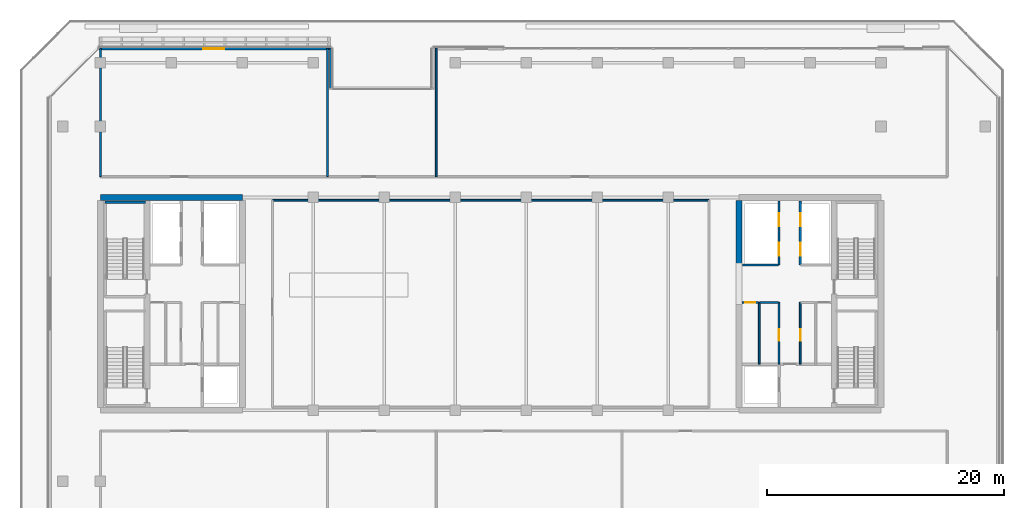
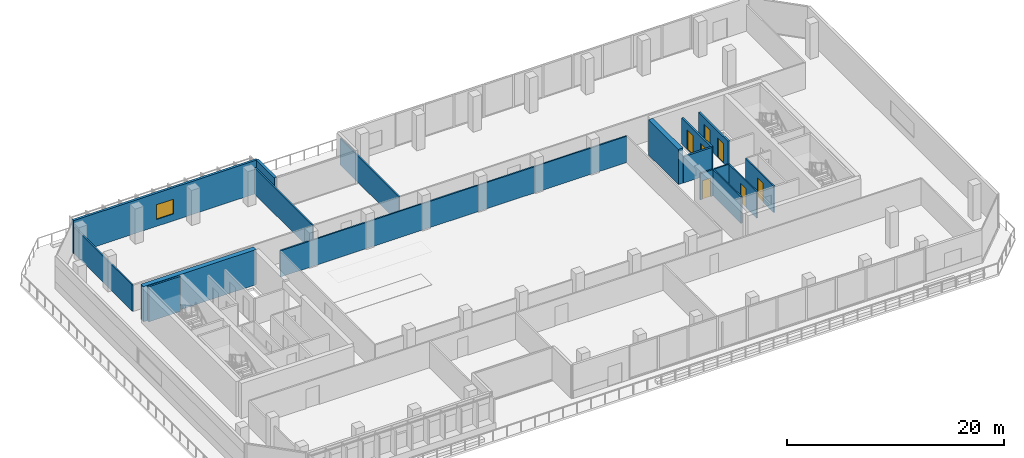
# One storey, part 22 of 30: 17 walls, 7 doors, 1 window, 8 openings.
"""IFC4 building model written with IfcOpenShell, lengths in metres."""

from ifc_helpers import new_model, si_unit, direction, frame, frame_2d, origin, place, context, subcontext, project, spatial, rectangle, extrude, material, layer, layer_set, type_object, element, fill, save


model = new_model("IFC4")

# Units and contexts
model_context = context("Model", 3, precision=1e-05, world=origin(), true_north=direction((0.0, 1.0)))
body_context = subcontext(model_context, "Body", "Model", "MODEL_VIEW")
ifc_project = project(units=[si_unit("LENGTHUNIT", "METRE"), si_unit("AREAUNIT", "SQUARE_METRE"), si_unit("VOLUMEUNIT", "CUBIC_METRE"), si_unit("PLANEANGLEUNIT", "RADIAN"), si_unit("MASSUNIT", "GRAM", prefix="KILO")], contexts=[model_context])

# Site, building, storey
site_placement = place(None, origin())
site = spatial("IfcSite", under=ifc_project, at=site_placement, CompositionType="ELEMENT")
building_placement = place(site_placement, origin())
building = spatial("IfcBuilding", under=site, at=building_placement, Name="Tanjung Sevakor Pilgrim Tower", CompositionType="ELEMENT")
storey_placement = place(building_placement, frame((0.0, 0.0, 128.0400390625)))
storey = spatial("IfcBuildingStorey", under=building, at=storey_placement, Name="L35", CompositionType="ELEMENT", Elevation=128.0400390625)

# Walls
ifc_material_1 = material(Name="Concrete C60/75", Category="concrete")
ifc_layer_1 = layer(ifc_material_1, 0.5)
ifc_layer_set_1 = layer_set([ifc_layer_1], Name="WALL-CW-500")
wall_type_1 = type_object("IfcWallType", Name="WALL-CW-500", PredefinedType="SHEAR", material=ifc_layer_set_1)
wall_1_placement = place(storey_placement, frame((36.0, 42.60009765625, 0.0), z_axis=(0.0, 0.0, 1.0), x_axis=(-1.0, 0.0, 0.0)))
element("IfcWall", 1, at=wall_1_placement, inside=storey, type_object=wall_type_1, Name="L35 W Core North Shear Wall", PredefinedType="SHEAR", context=body_context, shape_type="SweptSolid", body=[
    extrude(rectangle(XDim=12.0, YDim=0.5, at=frame_2d((6.0, 0.0))), origin(), (0.0, 0.0, 1.0), 3.9599609375),
])
wall_2_placement = place(storey_placement, frame((78.0, 36.800048828125, 0.0), z_axis=(0.0, 0.0, 1.0), x_axis=(0.0, 1.0, 0.0)))
element("IfcWall", 2, at=wall_2_placement, inside=storey, type_object=wall_type_1, Name="L35 E Core Inner Shear Wall North", PredefinedType="SHEAR", context=body_context, shape_type="SweptSolid", body=[
    extrude(rectangle(XDim=5.550048828125, YDim=0.5, at=frame_2d((2.77490234375, 0.0))), origin(), (0.0, 0.0, 1.0), 3.9599609375),
])

# Wall, opening, door
ifc_material_2 = material(Name="Concrete C40/50", Category="concrete")
ifc_layer_2 = layer(ifc_material_2, 0.14990234375)
ifc_layer_set_2 = layer_set([ifc_layer_2], Name="WT-COMP-150")
wall_type_2 = type_object("IfcWallType", Name="WT-COMP-150", PredefinedType="SOLIDWALL", material=ifc_layer_set_2)
wall_3_placement = place(storey_placement, frame((83.179931640625, 28.5, 0.0), z_axis=(0.0, 0.0, 1.0), x_axis=(0.0, 1.0, 0.0)))
wall_3 = element("IfcWall", 3, at=wall_3_placement, inside=storey, type_object=wall_type_2, Name="L35 Partition IW-L35-020", PredefinedType="SOLIDWALL", context=body_context, shape_type="SweptSolid", body=[
    extrude(rectangle(XDim=5.219970703125, YDim=0.14990234375, at=frame_2d((2.60986328125, 0.0))), origin(), (0.0, 0.0, 1.0), 2.9599609375),
])
opening_1_placement = place(wall_3_placement, frame((2.0, 0.0, 0.0)))
opening_1 = element("IfcOpeningElement", 4, at=opening_1_placement, cuts=wall_3, Name="Opening ID-FD2", PredefinedType="OPENING", context=body_context, shape_type="SweptSolid", body=[
    extrude(rectangle(XDim=0.949951171875, YDim=2.14990234375, at=frame_2d((0.47509765625, 1.074951171875))), frame((0.0, 0.0849609375, 0.0), z_axis=(0.0, -1.0, 0.0), x_axis=(1.0, 0.0, 0.0)), (0.0, 0.0, 1.0), 0.169921875),
])
ifc_material_3 = material(Name="Fire-Rated Timber", Category="wood")
door_type_1 = type_object("IfcDoorType", Name="DT-FIRE-950", OperationType="NOTDEFINED", PredefinedType="DOOR", material=ifc_material_3)
door_1_placement = place(opening_1_placement, origin())
door_1 = element("IfcDoor", 5, at=door_1_placement, inside=storey, type_object=door_type_1, Name="L35 Housekeeping Pantry Door", OperationType="SINGLE_SWING_RIGHT", OverallHeight=2.14990234375, OverallWidth=0.949951171875, PredefinedType="DOOR", context=body_context, shape_type="SweptSolid", body=[
    extrude(rectangle(XDim=0.949951171875, YDim=2.14990234375, at=frame_2d((0.47509765625, 1.074951171875))), frame((0.0, 0.02490234375, 0.0), z_axis=(0.0, -1.0, 0.0), x_axis=(1.0, 0.0, 0.0)), (0.0, 0.0, 1.0), 0.050048828125),
])
fill(opening_1, door_1)

# Walls
wall_4_placement = place(storey_placement, frame((79.699951171875, 28.5, 0.0), z_axis=(0.0, 0.0, 1.0), x_axis=(0.0, 1.0, 0.0)))
element("IfcWall", 6, at=wall_4_placement, inside=storey, type_object=wall_type_2, Name="L35 Partition IW-L35-021", PredefinedType="SOLIDWALL", context=body_context, shape_type="SweptSolid", body=[
    extrude(rectangle(XDim=5.219970703125, YDim=0.14990234375, at=frame_2d((2.60986328125, 0.0))), origin(), (0.0, 0.0, 1.0), 2.9599609375),
])
wall_5_placement = place(storey_placement, frame((79.760009765625, 33.719970703125, 0.0), z_axis=(0.0, 0.0, 1.0), x_axis=(1.0, 0.0, 0.0)))
element("IfcWall", 7, at=wall_5_placement, inside=storey, type_object=wall_type_2, Name="L35 Partition IW-L35-022", PredefinedType="SOLIDWALL", context=body_context, shape_type="SweptSolid", body=[
    extrude(rectangle(XDim=1.56005859375, YDim=0.14990234375, at=frame_2d((0.780029296875, 0.0))), origin(), (0.0, 0.0, 1.0), 2.9599609375),
])

# Wall, opening, door
wall_6_placement = place(storey_placement, frame((78.27001953125, 33.719970703125, 0.0), z_axis=(0.0, 0.0, 1.0), x_axis=(1.0, 0.0, 0.0)))
wall_6 = element("IfcWall", 8, at=wall_6_placement, inside=storey, type_object=wall_type_2, Name="L35 Partition IW-L35-023", PredefinedType="SOLIDWALL", context=body_context, shape_type="SweptSolid", body=[
    extrude(rectangle(XDim=1.369873046875, YDim=0.14990234375, at=frame_2d((0.68505859375, 0.0))), origin(), (0.0, 0.0, 1.0), 2.9599609375),
])
opening_2_placement = place(wall_6_placement, frame((0.239990234375, 0.0, 0.0)))
opening_2 = element("IfcOpeningElement", 9, at=opening_2_placement, cuts=wall_6, Name="Opening ID-FD3", PredefinedType="OPENING", context=body_context, shape_type="SweptSolid", body=[
    extrude(rectangle(XDim=0.85009765625, YDim=2.10009765625, at=frame_2d((0.425048828125, 1.050048828125))), frame((0.0, 0.0849609375, 0.0), z_axis=(0.0, -1.0, 0.0), x_axis=(1.0, 0.0, 0.0)), (0.0, 0.0, 1.0), 0.169921875),
])
ifc_material_4 = material(Name="Fire-Rated Timber", Category="wood")
door_type_2 = type_object("IfcDoorType", Name="DT-FIRE-850", OperationType="NOTDEFINED", PredefinedType="DOOR", material=ifc_material_4)
door_2_placement = place(opening_2_placement, origin())
door_2 = element("IfcDoor", 10, at=door_2_placement, inside=storey, type_object=door_type_2, Name="L35 Service Store Door", OperationType="SINGLE_SWING_LEFT", OverallHeight=2.10009765625, OverallWidth=0.85009765625, PredefinedType="DOOR", context=body_context, shape_type="SweptSolid", body=[
    extrude(rectangle(XDim=0.85009765625, YDim=2.10009765625, at=frame_2d((0.425048828125, 1.050048828125))), frame((0.0, 0.02490234375, 0.0), z_axis=(0.0, -1.0, 0.0), x_axis=(1.0, 0.0, 0.0)), (0.0, 0.0, 1.0), 0.050048828125),
])
fill(opening_2, door_2)

wall_7_placement = place(storey_placement, frame((81.3798828125, 28.5, 0.0), z_axis=(0.0, 0.0, 1.0), x_axis=(0.0, 1.0, 0.0)))
wall_7 = element("IfcWall", 11, at=wall_7_placement, inside=storey, type_object=wall_type_2, Name="L35 Partition IW-L35-024", PredefinedType="SOLIDWALL", context=body_context, shape_type="SweptSolid", body=[
    extrude(rectangle(XDim=5.219970703125, YDim=0.14990234375, at=frame_2d((2.60986328125, 0.0))), origin(), (0.0, 0.0, 1.0), 2.9599609375),
])
opening_3_placement = place(wall_7_placement, frame((2.0, 0.0, 0.0)))
opening_3 = element("IfcOpeningElement", 12, at=opening_3_placement, cuts=wall_7, Name="Opening ID-FD2", PredefinedType="OPENING", context=body_context, shape_type="SweptSolid", body=[
    extrude(rectangle(XDim=0.949951171875, YDim=2.14990234375, at=frame_2d((0.47509765625, 1.074951171875))), frame((0.0, 0.0849609375, 0.0), z_axis=(0.0, -1.0, 0.0), x_axis=(1.0, 0.0, 0.0)), (0.0, 0.0, 1.0), 0.169921875),
])
door_3_placement = place(opening_3_placement, origin())
door_3 = element("IfcDoor", 13, at=door_3_placement, inside=storey, type_object=door_type_1, Name="L35 Accessible WC Door", OperationType="SINGLE_SWING_RIGHT", OverallHeight=2.14990234375, OverallWidth=0.949951171875, PredefinedType="DOOR", context=body_context, shape_type="SweptSolid", body=[
    extrude(rectangle(XDim=0.949951171875, YDim=2.14990234375, at=frame_2d((0.47509765625, 1.074951171875))), frame((0.0, 0.02490234375, 0.0), z_axis=(0.0, -1.0, 0.0), x_axis=(1.0, 0.0, 0.0)), (0.0, 0.0, 1.0), 0.050048828125),
])
fill(opening_3, door_3)

# Walls
wall_8_placement = place(storey_placement, frame((38.550048828125, 42.35009765625, 0.0), z_axis=(0.0, 0.0, 1.0), x_axis=(1.0, 0.0, 0.0)))
element("IfcWall", 14, at=wall_8_placement, inside=storey, type_object=wall_type_2, Name="L35 Partition IW-L35-030", PredefinedType="SOLIDWALL", context=body_context, shape_type="SweptSolid", body=[
    extrude(rectangle(XDim=36.89990234375, YDim=0.14990234375, at=frame_2d((18.449951171875, 0.0))), origin(), (0.0, 0.0, 1.0), 2.9599609375),
])
wall_9_placement = place(storey_placement, frame((24.0, 44.35009765625, 0.0), z_axis=(0.0, 0.0, 1.0), x_axis=(0.0, 1.0, 0.0)))
element("IfcWall", 15, at=wall_9_placement, inside=storey, type_object=wall_type_2, Name="L35 Partition IW-L35-039", PredefinedType="SOLIDWALL", context=body_context, shape_type="SweptSolid", body=[
    extrude(rectangle(XDim=10.849853515625, YDim=0.14990234375, at=frame_2d((5.4248046875, 0.0))), origin(), (0.0, 0.0, 1.0), 2.9599609375),
])
ifc_material_5 = material(Name="Precast concrete C45/55", Category="concrete")
ifc_layer_3 = layer(ifc_material_5, 0.25)
ifc_layer_set_3 = layer_set([ifc_layer_3], Name="WT-EW-STN3")
wall_type_3 = type_object("IfcWallType", Name="WT-EW-STN3", PredefinedType="SOLIDWALL", material=ifc_layer_set_3)
wall_10_placement = place(storey_placement, frame((43.47509765625, 51.77490234375, 0.0), z_axis=(0.0, 0.0, 1.0), x_axis=(0.0, 1.0, 0.0)))
element("IfcWall", 16, at=wall_10_placement, inside=storey, type_object=wall_type_3, Name="L35 MAIN Exterior Wall 12", PredefinedType="SOLIDWALL", context=body_context, shape_type="SweptSolid", body=[
    extrude(rectangle(XDim=3.400146484375, YDim=0.25, at=frame_2d((1.7001953125, 0.0))), origin(), (0.0, 0.0, 1.0), 3.739990234375),
])

# Wall, opening, window
wall_11_placement = place(storey_placement, frame((43.47509765625, 55.175048828125, 0.0), z_axis=(0.0, 0.0, 1.0), x_axis=(-1.0, 0.0, 0.0)))
wall_11 = element("IfcWall", 17, at=wall_11_placement, inside=storey, type_object=wall_type_3, Name="L35 MAIN Exterior Wall 13", PredefinedType="SOLIDWALL", context=body_context, shape_type="SweptSolid", body=[
    extrude(rectangle(XDim=19.623291015625, YDim=0.25, at=frame_2d((9.8115234375, 0.0))), origin(), (0.0, 0.0, 1.0), 3.739990234375),
])
opening_4_placement = place(wall_11_placement, frame((8.985107421875, 0.0, 0.780029296875)))
opening_4 = element("IfcOpeningElement", 18, at=opening_4_placement, cuts=wall_11, Name="Opening WN-Z3-1660", PredefinedType="OPENING", context=body_context, shape_type="SweptSolid", body=[
    extrude(rectangle(XDim=1.800048828125, YDim=1.659912109375, at=frame_2d((0.89990234375, 0.830078125))), frame((0.0, 0.135009765625, 0.0), z_axis=(0.0, -1.0, 0.0), x_axis=(1.0, 0.0, 0.0)), (0.0, 0.0, 1.0), 0.27001953125),
])
ifc_material_6 = material(Name="Thermally Broken Aluminium and Low-E Glass", Category="aluminium")
window_type = type_object("IfcWindowType", Name="WTYP-WN-Z3-1660", PartitioningType="DOUBLE_PANEL_VERTICAL", PredefinedType="WINDOW", material=ifc_material_6)
window_placement = place(opening_4_placement, origin())
window = element("IfcWindow", 19, at=window_placement, inside=storey, type_object=window_type, Name="L35 Facade Window 01", OverallHeight=1.659912109375, OverallWidth=1.800048828125, PartitioningType="SINGLE_PANEL", PredefinedType="WINDOW", context=body_context, shape_type="SweptSolid", body=[
    extrude(rectangle(XDim=1.800048828125, YDim=1.659912109375, at=frame_2d((0.89990234375, 0.830078125))), frame((0.0, 0.030029296875, 0.0), z_axis=(0.0, -1.0, 0.0), x_axis=(1.0, 0.0, 0.0)), (0.0, 0.0, 1.0), 0.06005859375),
])
fill(opening_4, window)

# Wall
ifc_material_7 = material(Name="Concrete C40/50", Category="concrete")
ifc_layer_4 = layer(ifc_material_7, 0.199951171875)
ifc_layer_set_4 = layer_set([ifc_layer_4], Name="WT-FIRE-200")
wall_type_4 = type_object("IfcWallType", Name="WT-FIRE-200", PredefinedType="SOLIDWALL", material=ifc_layer_set_4)
wall_12_placement = place(storey_placement, frame((27.800048828125, 42.199951171875, 0.0), z_axis=(0.0, 0.0, 1.0), x_axis=(-1.0, 0.0, 0.0)))
element("IfcWall", 20, at=wall_12_placement, inside=storey, type_object=wall_type_4, Name="L35 TS-W2 Shaft Wall 2", PredefinedType="SOLIDWALL", context=body_context, shape_type="SweptSolid", body=[
    extrude(rectangle(XDim=3.400146484375, YDim=0.199951171875, at=frame_2d((1.7001953125, 0.0))), origin(), (0.0, 0.0, 1.0), 3.9599609375),
])

# Wall, openings, doors
ifc_material_8 = material(Name="Concrete C40/50", Category="concrete")
ifc_layer_5 = layer(ifc_material_8, 0.199951171875)
ifc_layer_set_5 = layer_set([ifc_layer_5], Name="WT-FPRT-200")
wall_type_5 = type_object("IfcWallType", Name="WT-FPRT-200", PredefinedType="SOLIDWALL", material=ifc_layer_set_5)
wall_13_placement = place(storey_placement, frame((83.179931640625, 36.8798828125, 0.0), z_axis=(0.0, 0.0, 1.0), x_axis=(0.0, 1.0, 0.0)))
wall_13 = element("IfcWall", 21, at=wall_13_placement, inside=storey, type_object=wall_type_5, Name="L35 Partition IW-L35-026", PredefinedType="SOLIDWALL", context=body_context, shape_type="SweptSolid", body=[
    extrude(rectangle(XDim=5.420166015625, YDim=0.199951171875, at=frame_2d((2.7099609375, 0.0))), origin(), (0.0, 0.0, 1.0), 2.9599609375),
])
opening_5_placement = place(wall_13_placement, frame((0.800048828125, 0.0, 0.0)))
opening_5 = element("IfcOpeningElement", 22, at=opening_5_placement, cuts=wall_13, Name="Opening LD-1100", PredefinedType="OPENING", context=body_context, shape_type="SweptSolid", body=[
    extrude(rectangle(XDim=1.10009765625, YDim=2.199951171875, at=frame_2d((0.550048828125, 1.10009765625))), frame((0.0, 0.10986328125, 0.0), z_axis=(0.0, -1.0, 0.0), x_axis=(1.0, 0.0, 0.0)), (0.0, 0.0, 1.0), 0.219970703125),
])
opening_6_placement = place(wall_13_placement, frame((3.300048828125, 0.0, 0.0)))
opening_6 = element("IfcOpeningElement", 23, at=opening_6_placement, cuts=wall_13, Name="Opening LD-1100", PredefinedType="OPENING", context=body_context, shape_type="SweptSolid", body=[
    extrude(rectangle(XDim=1.10009765625, YDim=2.199951171875, at=frame_2d((0.550048828125, 1.10009765625))), frame((0.0, 0.10986328125, 0.0), z_axis=(0.0, -1.0, 0.0), x_axis=(1.0, 0.0, 0.0)), (0.0, 0.0, 1.0), 0.219970703125),
])
ifc_material_9 = material(Name="Brushed Stainless Steel S355J2", Category="steel")
door_type_3 = type_object("IfcDoorType", Name="DT-LIFT-1100", OperationType="SLIDING_TO_LEFT", PredefinedType="DOOR", material=ifc_material_9)
door_4_placement = place(opening_5_placement, origin())
door_4 = element("IfcDoor", 24, at=door_4_placement, inside=storey, type_object=door_type_3, Name="LD-PLM1-E", OperationType="SLIDING_TO_LEFT", OverallHeight=2.199951171875, OverallWidth=1.10009765625, PredefinedType="DOOR", context=body_context, shape_type="SweptSolid", body=[
    extrude(rectangle(XDim=1.10009765625, YDim=2.199951171875, at=frame_2d((0.550048828125, 1.10009765625))), frame((0.0, 0.02490234375, 0.0), z_axis=(0.0, -1.0, 0.0), x_axis=(1.0, 0.0, 0.0)), (0.0, 0.0, 1.0), 0.050048828125),
])
fill(opening_5, door_4)
door_5_placement = place(opening_6_placement, origin())
door_5 = element("IfcDoor", 25, at=door_5_placement, inside=storey, type_object=door_type_3, Name="LD-PLM2-E", OperationType="SLIDING_TO_RIGHT", OverallHeight=2.199951171875, OverallWidth=1.10009765625, PredefinedType="DOOR", context=body_context, shape_type="SweptSolid", body=[
    extrude(rectangle(XDim=1.10009765625, YDim=2.199951171875, at=frame_2d((0.550048828125, 1.10009765625))), frame((0.0, 0.02490234375, 0.0), z_axis=(0.0, -1.0, 0.0), x_axis=(1.0, 0.0, 0.0)), (0.0, 0.0, 1.0), 0.050048828125),
])
fill(opening_6, door_5)

# Wall
wall_14_placement = place(storey_placement, frame((78.27001953125, 36.8798828125, 0.0), z_axis=(0.0, 0.0, 1.0), x_axis=(1.0, 0.0, 0.0)))
element("IfcWall", 26, at=wall_14_placement, inside=storey, type_object=wall_type_5, Name="L35 Partition IW-L35-027", PredefinedType="SOLIDWALL", context=body_context, shape_type="SweptSolid", body=[
    extrude(rectangle(XDim=3.050048828125, YDim=0.199951171875, at=frame_2d((1.52490234375, 0.0))), origin(), (0.0, 0.0, 1.0), 2.9599609375),
])

# Wall, openings, doors
wall_15_placement = place(storey_placement, frame((81.3798828125, 36.8798828125, 0.0), z_axis=(0.0, 0.0, 1.0), x_axis=(0.0, 1.0, 0.0)))
wall_15 = element("IfcWall", 27, at=wall_15_placement, inside=storey, type_object=wall_type_5, Name="L35 Partition IW-L35-028", PredefinedType="SOLIDWALL", context=body_context, shape_type="SweptSolid", body=[
    extrude(rectangle(XDim=5.420166015625, YDim=0.199951171875, at=frame_2d((2.7099609375, 0.0))), origin(), (0.0, 0.0, 1.0), 2.9599609375),
])
opening_7_placement = place(wall_15_placement, frame((0.800048828125, 0.0, 0.0)))
opening_7 = element("IfcOpeningElement", 28, at=opening_7_placement, cuts=wall_15, Name="Opening LD-1100", PredefinedType="OPENING", context=body_context, shape_type="SweptSolid", body=[
    extrude(rectangle(XDim=1.10009765625, YDim=2.199951171875, at=frame_2d((0.550048828125, 1.10009765625))), frame((0.0, 0.10986328125, 0.0), z_axis=(0.0, -1.0, 0.0), x_axis=(1.0, 0.0, 0.0)), (0.0, 0.0, 1.0), 0.219970703125),
])
opening_8_placement = place(wall_15_placement, frame((3.300048828125, 0.0, 0.0)))
opening_8 = element("IfcOpeningElement", 29, at=opening_8_placement, cuts=wall_15, Name="Opening LD-1100", PredefinedType="OPENING", context=body_context, shape_type="SweptSolid", body=[
    extrude(rectangle(XDim=1.10009765625, YDim=2.199951171875, at=frame_2d((0.550048828125, 1.10009765625))), frame((0.0, 0.10986328125, 0.0), z_axis=(0.0, -1.0, 0.0), x_axis=(1.0, 0.0, 0.0)), (0.0, 0.0, 1.0), 0.219970703125),
])
door_6_placement = place(opening_7_placement, origin())
door_6 = element("IfcDoor", 30, at=door_6_placement, inside=storey, type_object=door_type_3, Name="LD-PLH1-E", OperationType="SLIDING_TO_LEFT", OverallHeight=2.199951171875, OverallWidth=1.10009765625, PredefinedType="DOOR", context=body_context, shape_type="SweptSolid", body=[
    extrude(rectangle(XDim=1.10009765625, YDim=2.199951171875, at=frame_2d((0.550048828125, 1.10009765625))), frame((0.0, 0.02490234375, 0.0), z_axis=(0.0, -1.0, 0.0), x_axis=(1.0, 0.0, 0.0)), (0.0, 0.0, 1.0), 0.050048828125),
])
fill(opening_7, door_6)
door_7_placement = place(opening_8_placement, origin())
door_7 = element("IfcDoor", 31, at=door_7_placement, inside=storey, type_object=door_type_3, Name="LD-PLH2-E", OperationType="SLIDING_TO_RIGHT", OverallHeight=2.199951171875, OverallWidth=1.10009765625, PredefinedType="DOOR", context=body_context, shape_type="SweptSolid", body=[
    extrude(rectangle(XDim=1.10009765625, YDim=2.199951171875, at=frame_2d((0.550048828125, 1.10009765625))), frame((0.0, 0.02490234375, 0.0), z_axis=(0.0, -1.0, 0.0), x_axis=(1.0, 0.0, 0.0)), (0.0, 0.0, 1.0), 0.050048828125),
])
fill(opening_8, door_7)

# Walls
ifc_material_10 = material(Name="Gypsum Board Partition", Category="gypsum board")
ifc_layer_6 = layer(ifc_material_10, 0.14990234375)
ifc_layer_set_6 = layer_set([ifc_layer_6], Name="WT-PART-150")
wall_type_6 = type_object("IfcWallType", Name="WT-PART-150", PredefinedType="PARTITIONING", material=ifc_layer_set_6)
for number, where, z_axis, x_axis, name in (
    (32, (43.199951171875, 44.35009765625, 0.0), (0.0, 0.0, 1.0), (0.0, 1.0, 0.0), "L35 Partition IW-L35-040"),
    (33, (52.39990234375, 44.35009765625, 0.0), (0.0, 0.0, 1.0), (0.0, 1.0, 0.0), "L35 Partition IW-L35-041"),
):
    element("IfcWall", number, at=place(storey_placement, frame(where, z_axis=z_axis, x_axis=x_axis)), inside=storey, type_object=wall_type_6, Name=name, PredefinedType="PARTITIONING", context=body_context, shape_type="SweptSolid", body=[
        extrude(rectangle(XDim=10.849853515625, YDim=0.14990234375, at=frame_2d((5.4248046875, 0.0))), origin(), (0.0, 0.0, 1.0), 2.9599609375),
    ])

save(model, "model.ifc")
